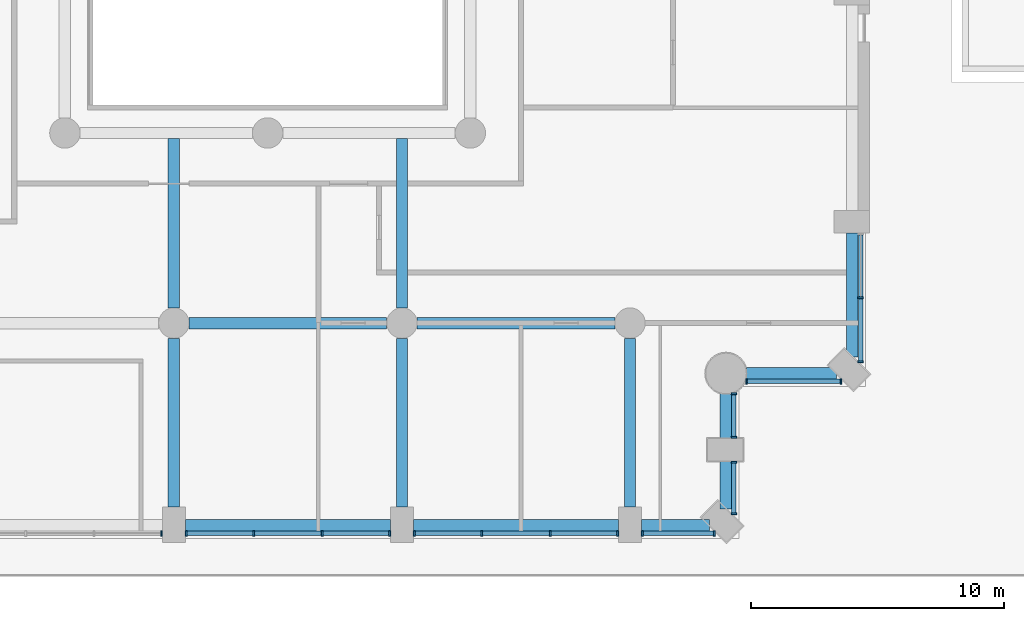
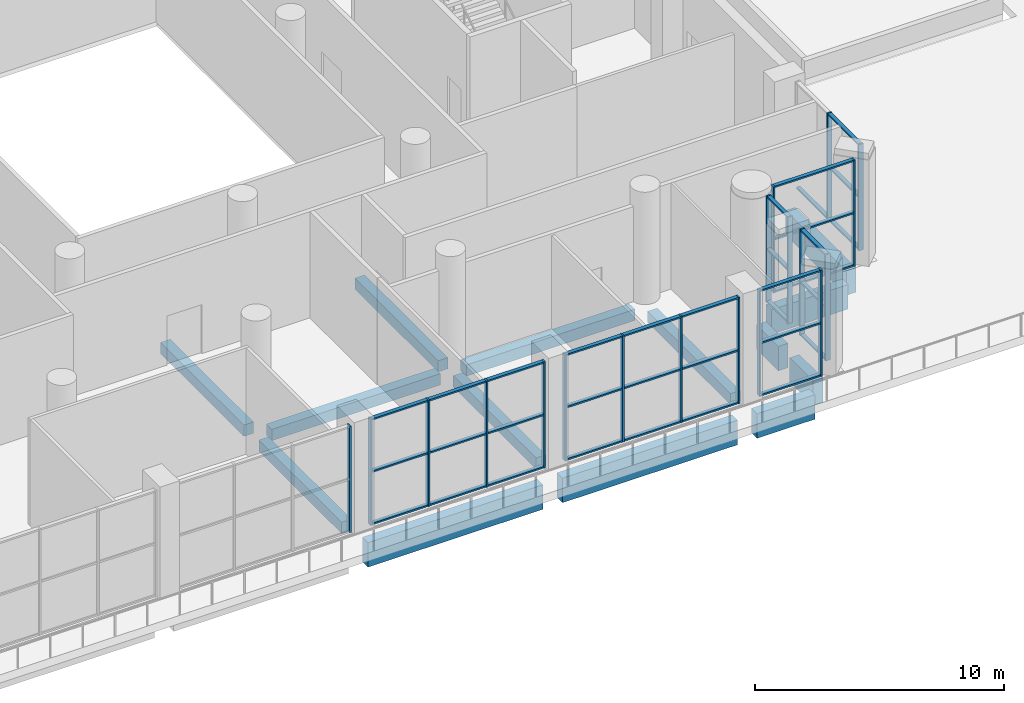
# One storey, part 6 of 26: 53 members, 14 beams, 8 elements without a shape of their own.
"""IFC4 building model written with IfcOpenShell, lengths in metres."""

from ifc_helpers import new_model, si_unit, direction, frame, origin, origin_2d, place, context, subcontext, project, spatial, rectangle, extrude, material, material_profile, profile_set, type_object, element, aggregate, save


model = new_model("IFC4")

# Units and contexts
model_context = context("Model", 3, precision=1e-05, world=origin(), true_north=direction((0.0, 1.0)))
body_context = subcontext(model_context, "Body", "Model", "MODEL_VIEW")
ifc_project = project(units=[si_unit("LENGTHUNIT", "METRE"), si_unit("AREAUNIT", "SQUARE_METRE"), si_unit("VOLUMEUNIT", "CUBIC_METRE"), si_unit("PLANEANGLEUNIT", "RADIAN"), si_unit("MASSUNIT", "GRAM", prefix="KILO")], contexts=[model_context])

# Site, building, storey
site_placement = place(None, origin())
site = spatial("IfcSite", under=ifc_project, at=site_placement, CompositionType="ELEMENT")
building_placement = place(site_placement, origin())
building = spatial("IfcBuilding", under=site, at=building_placement, Name="Cypress Arch Tower", CompositionType="ELEMENT")
storey_placement = place(building_placement, frame((0.0, 0.0, 50.0)))
storey = spatial("IfcBuildingStorey", under=building, at=storey_placement, Name="L06", CompositionType="ELEMENT", Elevation=50.0)

# Beams
ifc_material_1 = material(Name="Concrete C50/60", Category="concrete")
ifc_material_profile_1 = material_profile(ifc_material_1, rectangle(XDim=0.449951171875, YDim=0.550048828125, at=origin_2d()), Name="RC 450x550")
ifc_profile_set_1 = profile_set([ifc_material_profile_1], Name="Concrete C50/60")
beam_type_1 = type_object("IfcBeamType", Name="Floor beam RC 450x550 Concrete C50/60", PredefinedType="BEAM", material=ifc_profile_set_1)
for number, where, z_axis, x_axis, name in (
    (1, (-2.10009765625, -17.5, -0.574951171875), (1.0, 0.0, 0.0), (0.0, 1.0, 0.0), "Floor beam L06 FB011"),
    (2, (6.89990234375, -17.5, -0.574951171875), (1.0, 0.0, 0.0), (0.0, 1.0, 0.0), "Floor beam L06 FB012"),
):
    element("IfcBeam", number, at=place(storey_placement, frame(where, z_axis=z_axis, x_axis=x_axis)), inside=storey, type_object=beam_type_1, Name=name, PredefinedType="BEAM", context=body_context, shape_type="SweptSolid", body=[
        extrude(rectangle(XDim=0.449951171875, YDim=0.550048828125, at=origin_2d()), origin(), (0.0, 0.0, 1.0), 7.800048828125),
    ])
beam_1_placement = place(storey_placement, frame((-2.699951171875, -24.75, -0.574951171875), z_axis=(0.0, 1.0, 0.0), x_axis=(-1.0, 0.0, 0.0)))
element("IfcBeam", 3, at=beam_1_placement, inside=storey, type_object=beam_type_1, Name="Floor beam L06 FB026", PredefinedType="BEAM", context=body_context, shape_type="SweptSolid", body=[
    extrude(rectangle(XDim=0.449951171875, YDim=0.550048828125, at=origin_2d()), origin(), (0.0, 0.0, 1.0), 6.64990234375),
])
beam_2_placement = place(storey_placement, frame((-2.699951171875, -16.89990234375, -0.574951171875), z_axis=(0.0, 1.0, 0.0), x_axis=(-1.0, 0.0, 0.0)))
element("IfcBeam", 4, at=beam_2_placement, inside=storey, type_object=beam_type_1, Name="Floor beam L06 FB027", PredefinedType="BEAM", context=body_context, shape_type="SweptSolid", body=[
    extrude(rectangle(XDim=0.449951171875, YDim=0.550048828125, at=origin_2d()), origin(), (0.0, 0.0, 1.0), 6.6748046875),
])
beam_3_placement = place(storey_placement, frame((6.300048828125, -24.75, -0.574951171875), z_axis=(0.0, 1.0, 0.0), x_axis=(-1.0, 0.0, 0.0)))
element("IfcBeam", 5, at=beam_3_placement, inside=storey, type_object=beam_type_1, Name="Floor beam L06 FB030", PredefinedType="BEAM", context=body_context, shape_type="SweptSolid", body=[
    extrude(rectangle(XDim=0.449951171875, YDim=0.550048828125, at=origin_2d()), origin(), (0.0, 0.0, 1.0), 6.64990234375),
])
beam_4_placement = place(storey_placement, frame((6.300048828125, -16.89990234375, -0.574951171875), z_axis=(0.0, 1.0, 0.0), x_axis=(-1.0, 0.0, 0.0)))
element("IfcBeam", 6, at=beam_4_placement, inside=storey, type_object=beam_type_1, Name="Floor beam L06 FB031", PredefinedType="BEAM", context=body_context, shape_type="SweptSolid", body=[
    extrude(rectangle(XDim=0.449951171875, YDim=0.550048828125, at=origin_2d()), origin(), (0.0, 0.0, 1.0), 6.6748046875),
])
beam_5_placement = place(storey_placement, frame((15.300048828125, -24.75, -0.574951171875), z_axis=(0.0, 1.0, 0.0), x_axis=(-1.0, 0.0, 0.0)))
element("IfcBeam", 7, at=beam_5_placement, inside=storey, type_object=beam_type_1, Name="Floor beam L06 FB034", PredefinedType="BEAM", context=body_context, shape_type="SweptSolid", body=[
    extrude(rectangle(XDim=0.449951171875, YDim=0.550048828125, at=origin_2d()), origin(), (0.0, 0.0, 1.0), 6.64990234375),
])

# Curtain wall, member
ifc_material_2 = material(Name="Anodised aluminium, bronze finish, solar control laminated double glazing", Category="aluminium")
curtain_wall_type = type_object("IfcCurtainWallType", Name="Curtain wall CW3 sky lobby glazing", PredefinedType="NOTDEFINED", material=ifc_material_2)
curtain_wall_1_placement = place(storey_placement, origin())
curtain_wall_1 = element("IfcCurtainWall", 8, at=curtain_wall_1_placement, inside=storey, type_object=curtain_wall_type, Name="Curtain wall L06 A03.2.1", PredefinedType="NOTDEFINED")
ifc_material_3 = material(Name="Anodised aluminium, bronze finish", Category="aluminium")
ifc_material_profile_2 = material_profile(ifc_material_3, rectangle(XDim=0.219970703125, YDim=0.074951171875, at=origin_2d()), Name="Mullion 75x220")
ifc_profile_set_2 = profile_set([ifc_material_profile_2], Name="Anodised aluminium, bronze finish")
member_type_1 = type_object("IfcMemberType", Name="Mullion CW3 75x220", PredefinedType="MULLION", material=ifc_profile_set_2)
member_1_placement = place(storey_placement, frame((-3.1875, -25.800048828125, 0.0), z_axis=(0.0, 0.0, 1.0), x_axis=(0.0, 1.0, 0.0)))
member_1 = element("IfcMember", 9, at=member_1_placement, type_object=member_type_1, Name="CW3 mullion 4", PredefinedType="MULLION", context=body_context, shape_type="SweptSolid", body=[
    extrude(rectangle(XDim=0.219970703125, YDim=0.074951171875, at=origin_2d()), origin(), (0.0, 0.0, 1.0), 5.199951171875),
])
aggregate(curtain_wall_1, [member_1])

# Curtain wall, members
curtain_wall_2_placement = place(storey_placement, origin())
curtain_wall_2 = element("IfcCurtainWall", 10, at=curtain_wall_2_placement, inside=storey, type_object=curtain_wall_type, Name="Curtain wall L06 A03.3.1", PredefinedType="NOTDEFINED")
member_2_placement = place(storey_placement, frame((-2.21240234375, -25.800048828125, 0.0), z_axis=(0.0, 0.0, 1.0), x_axis=(0.0, 1.0, 0.0)))
member_2 = element("IfcMember", 11, at=member_2_placement, type_object=member_type_1, Name="CW3 mullion 1", PredefinedType="MULLION", context=body_context, shape_type="SweptSolid", body=[
    extrude(rectangle(XDim=0.219970703125, YDim=0.074951171875, at=origin_2d()), origin(), (0.0, 0.0, 1.0), 5.199951171875),
])
member_3_placement = place(storey_placement, frame((0.449951171875, -25.800048828125, 0.0), z_axis=(0.0, 0.0, 1.0), x_axis=(0.0, 1.0, 0.0)))
member_3 = element("IfcMember", 12, at=member_3_placement, type_object=member_type_1, Name="CW3 mullion 2", PredefinedType="MULLION", context=body_context, shape_type="SweptSolid", body=[
    extrude(rectangle(XDim=0.219970703125, YDim=0.074951171875, at=origin_2d()), origin(), (0.0, 0.0, 1.0), 5.199951171875),
])
member_4_placement = place(storey_placement, frame((3.14990234375, -25.800048828125, 0.0), z_axis=(0.0, 0.0, 1.0), x_axis=(0.0, 1.0, 0.0)))
member_4 = element("IfcMember", 13, at=member_4_placement, type_object=member_type_1, Name="CW3 mullion 3", PredefinedType="MULLION", context=body_context, shape_type="SweptSolid", body=[
    extrude(rectangle(XDim=0.219970703125, YDim=0.074951171875, at=origin_2d()), origin(), (0.0, 0.0, 1.0), 5.199951171875),
])
member_5_placement = place(storey_placement, frame((5.8125, -25.800048828125, 0.0), z_axis=(0.0, 0.0, 1.0), x_axis=(0.0, 1.0, 0.0)))
member_5 = element("IfcMember", 14, at=member_5_placement, type_object=member_type_1, Name="CW3 mullion 4", PredefinedType="MULLION", context=body_context, shape_type="SweptSolid", body=[
    extrude(rectangle(XDim=0.219970703125, YDim=0.074951171875, at=origin_2d()), origin(), (0.0, 0.0, 1.0), 5.199951171875),
])

curtain_wall_3_placement = place(storey_placement, origin())
curtain_wall_3 = element("IfcCurtainWall", 15, at=curtain_wall_3_placement, inside=storey, type_object=curtain_wall_type, Name="Curtain wall L06 A03.4.1", PredefinedType="NOTDEFINED")
member_6_placement = place(storey_placement, frame((6.78759765625, -25.800048828125, 0.0), z_axis=(0.0, 0.0, 1.0), x_axis=(0.0, 1.0, 0.0)))
member_6 = element("IfcMember", 16, at=member_6_placement, type_object=member_type_1, Name="CW3 mullion 1", PredefinedType="MULLION", context=body_context, shape_type="SweptSolid", body=[
    extrude(rectangle(XDim=0.219970703125, YDim=0.074951171875, at=origin_2d()), origin(), (0.0, 0.0, 1.0), 5.199951171875),
])
member_7_placement = place(storey_placement, frame((9.449951171875, -25.800048828125, 0.0), z_axis=(0.0, 0.0, 1.0), x_axis=(0.0, 1.0, 0.0)))
member_7 = element("IfcMember", 17, at=member_7_placement, type_object=member_type_1, Name="CW3 mullion 2", PredefinedType="MULLION", context=body_context, shape_type="SweptSolid", body=[
    extrude(rectangle(XDim=0.219970703125, YDim=0.074951171875, at=origin_2d()), origin(), (0.0, 0.0, 1.0), 5.199951171875),
])
member_8_placement = place(storey_placement, frame((12.14990234375, -25.800048828125, 0.0), z_axis=(0.0, 0.0, 1.0), x_axis=(0.0, 1.0, 0.0)))
member_8 = element("IfcMember", 18, at=member_8_placement, type_object=member_type_1, Name="CW3 mullion 3", PredefinedType="MULLION", context=body_context, shape_type="SweptSolid", body=[
    extrude(rectangle(XDim=0.219970703125, YDim=0.074951171875, at=origin_2d()), origin(), (0.0, 0.0, 1.0), 5.199951171875),
])
member_9_placement = place(storey_placement, frame((14.8125, -25.800048828125, 0.0), z_axis=(0.0, 0.0, 1.0), x_axis=(0.0, 1.0, 0.0)))
member_9 = element("IfcMember", 19, at=member_9_placement, type_object=member_type_1, Name="CW3 mullion 4", PredefinedType="MULLION", context=body_context, shape_type="SweptSolid", body=[
    extrude(rectangle(XDim=0.219970703125, YDim=0.074951171875, at=origin_2d()), origin(), (0.0, 0.0, 1.0), 5.199951171875),
])

curtain_wall_4_placement = place(storey_placement, origin())
curtain_wall_4 = element("IfcCurtainWall", 20, at=curtain_wall_4_placement, inside=storey, type_object=curtain_wall_type, Name="Curtain wall L06 A03.5.1", PredefinedType="NOTDEFINED")
member_10_placement = place(storey_placement, frame((15.78759765625, -25.800048828125, 0.0), z_axis=(0.0, 0.0, 1.0), x_axis=(0.0, 1.0, 0.0)))
member_10 = element("IfcMember", 21, at=member_10_placement, type_object=member_type_1, Name="CW3 mullion 1", PredefinedType="MULLION", context=body_context, shape_type="SweptSolid", body=[
    extrude(rectangle(XDim=0.219970703125, YDim=0.074951171875, at=origin_2d()), origin(), (0.0, 0.0, 1.0), 5.199951171875),
])
member_11_placement = place(storey_placement, frame((18.626220703125, -25.800048828125, 0.0), z_axis=(0.0, 0.0, 1.0), x_axis=(0.0, 1.0, 0.0)))
member_11 = element("IfcMember", 22, at=member_11_placement, type_object=member_type_1, Name="CW3 mullion 2", PredefinedType="MULLION", context=body_context, shape_type="SweptSolid", body=[
    extrude(rectangle(XDim=0.219970703125, YDim=0.074951171875, at=origin_2d()), origin(), (0.0, 0.0, 1.0), 5.199951171875),
])

curtain_wall_5_placement = place(storey_placement, origin())
curtain_wall_5 = element("IfcCurtainWall", 23, at=curtain_wall_5_placement, inside=storey, type_object=curtain_wall_type, Name="Curtain wall L06 A04.0.1", PredefinedType="NOTDEFINED")
member_12_placement = place(storey_placement, frame((19.39990234375, -25.026123046875, 0.0), z_axis=(0.0, 0.0, 1.0), x_axis=(-1.0, 0.0, 0.0)))
member_12 = element("IfcMember", 24, at=member_12_placement, type_object=member_type_1, Name="CW3 mullion 1", PredefinedType="MULLION", context=body_context, shape_type="SweptSolid", body=[
    extrude(rectangle(XDim=0.219970703125, YDim=0.074951171875, at=origin_2d()), origin(), (0.0, 0.0, 1.0), 5.199951171875),
])
member_13_placement = place(storey_placement, frame((19.39990234375, -22.987548828125, 0.0), z_axis=(0.0, 0.0, 1.0), x_axis=(-1.0, 0.0, 0.0)))
member_13 = element("IfcMember", 25, at=member_13_placement, type_object=member_type_1, Name="CW3 mullion 2", PredefinedType="MULLION", context=body_context, shape_type="SweptSolid", body=[
    extrude(rectangle(XDim=0.219970703125, YDim=0.074951171875, at=origin_2d()), origin(), (0.0, 0.0, 1.0), 5.199951171875),
])

curtain_wall_6_placement = place(storey_placement, origin())
curtain_wall_6 = element("IfcCurtainWall", 26, at=curtain_wall_6_placement, inside=storey, type_object=curtain_wall_type, Name="Curtain wall L06 A04.1.1", PredefinedType="NOTDEFINED")
member_14_placement = place(storey_placement, frame((19.39990234375, -22.012451171875, 0.0), z_axis=(0.0, 0.0, 1.0), x_axis=(-1.0, 0.0, 0.0)))
member_14 = element("IfcMember", 27, at=member_14_placement, type_object=member_type_1, Name="CW3 mullion 1", PredefinedType="MULLION", context=body_context, shape_type="SweptSolid", body=[
    extrude(rectangle(XDim=0.219970703125, YDim=0.074951171875, at=origin_2d()), origin(), (0.0, 0.0, 1.0), 5.199951171875),
])
member_15_placement = place(storey_placement, frame((19.39990234375, -20.2958984375, 0.0), z_axis=(0.0, 0.0, 1.0), x_axis=(-1.0, 0.0, 0.0)))
member_15 = element("IfcMember", 28, at=member_15_placement, type_object=member_type_1, Name="CW3 mullion 2", PredefinedType="MULLION", context=body_context, shape_type="SweptSolid", body=[
    extrude(rectangle(XDim=0.219970703125, YDim=0.074951171875, at=origin_2d()), origin(), (0.0, 0.0, 1.0), 5.199951171875),
])

curtain_wall_7_placement = place(storey_placement, origin())
curtain_wall_7 = element("IfcCurtainWall", 29, at=curtain_wall_7_placement, inside=storey, type_object=curtain_wall_type, Name="Curtain wall L06 A05.0.1", PredefinedType="NOTDEFINED")
member_16_placement = place(storey_placement, frame((19.89599609375, -19.800048828125, 0.0), z_axis=(0.0, 0.0, 1.0), x_axis=(0.0, 1.0, 0.0)))
member_16 = element("IfcMember", 30, at=member_16_placement, type_object=member_type_1, Name="CW3 mullion 1", PredefinedType="MULLION", context=body_context, shape_type="SweptSolid", body=[
    extrude(rectangle(XDim=0.219970703125, YDim=0.074951171875, at=origin_2d()), origin(), (0.0, 0.0, 1.0), 5.199951171875),
])
member_17_placement = place(storey_placement, frame((23.626220703125, -19.800048828125, 0.0), z_axis=(0.0, 0.0, 1.0), x_axis=(0.0, 1.0, 0.0)))
member_17 = element("IfcMember", 31, at=member_17_placement, type_object=member_type_1, Name="CW3 mullion 2", PredefinedType="MULLION", context=body_context, shape_type="SweptSolid", body=[
    extrude(rectangle(XDim=0.219970703125, YDim=0.074951171875, at=origin_2d()), origin(), (0.0, 0.0, 1.0), 5.199951171875),
])

curtain_wall_8_placement = place(storey_placement, origin())
curtain_wall_8 = element("IfcCurtainWall", 32, at=curtain_wall_8_placement, inside=storey, type_object=curtain_wall_type, Name="Curtain wall L06 A06.0.1", PredefinedType="NOTDEFINED")
member_18_placement = place(storey_placement, frame((24.39990234375, -19.026123046875, 0.0), z_axis=(0.0, 0.0, 1.0), x_axis=(-1.0, 0.0, 0.0)))
member_18 = element("IfcMember", 33, at=member_18_placement, type_object=member_type_1, Name="CW3 mullion 1", PredefinedType="MULLION", context=body_context, shape_type="SweptSolid", body=[
    extrude(rectangle(XDim=0.219970703125, YDim=0.074951171875, at=origin_2d()), origin(), (0.0, 0.0, 1.0), 5.199951171875),
])
member_19_placement = place(storey_placement, frame((24.39990234375, -16.5068359375, 0.0), z_axis=(0.0, 0.0, 1.0), x_axis=(-1.0, 0.0, 0.0)))
member_19 = element("IfcMember", 34, at=member_19_placement, type_object=member_type_1, Name="CW3 mullion 2", PredefinedType="MULLION", context=body_context, shape_type="SweptSolid", body=[
    extrude(rectangle(XDim=0.219970703125, YDim=0.074951171875, at=origin_2d()), origin(), (0.0, 0.0, 1.0), 5.199951171875),
])

# Beams
ifc_material_4 = material(Name="Concrete C50/60", Category="concrete")
ifc_material_profile_3 = material_profile(ifc_material_4, rectangle(XDim=0.449951171875, YDim=1.199951171875, at=origin_2d()), Name="RC 450x1200")
ifc_profile_set_3 = profile_set([ifc_material_profile_3], Name="Concrete C50/60")
beam_type_2 = type_object("IfcBeamType", Name="Spandrel beam RC 450x1200 Concrete C50/60", PredefinedType="SPANDREL", material=ifc_profile_set_3)
for number, where, z_axis, x_axis, name in (
    (35, (-2.25, -25.47509765625, -1.550048828125), (1.0, 0.0, 0.0), (0.0, 1.0, 0.0), "Spandrel beam L06 BA03-3"),
    (36, (6.75, -25.47509765625, -1.550048828125), (1.0, 0.0, 0.0), (0.0, 1.0, 0.0), "Spandrel beam L06 BA03-4"),
):
    element("IfcBeam", number, at=place(storey_placement, frame(where, z_axis=z_axis, x_axis=x_axis)), inside=storey, type_object=beam_type_2, Name=name, PredefinedType="SPANDREL", context=body_context, shape_type="SweptSolid", body=[
        extrude(rectangle(XDim=0.449951171875, YDim=1.199951171875, at=origin_2d()), origin(), (0.0, 0.0, 1.0), 8.10009765625),
    ])
beam_6_placement = place(storey_placement, frame((15.75, -25.47509765625, -1.550048828125), z_axis=(1.0, 0.0, 0.0), x_axis=(0.0, 1.0, 0.0)))
element("IfcBeam", 37, at=beam_6_placement, inside=storey, type_object=beam_type_2, Name="Spandrel beam L06 BA03-5", PredefinedType="SPANDREL", context=body_context, shape_type="SweptSolid", body=[
    extrude(rectangle(XDim=0.449951171875, YDim=1.199951171875, at=origin_2d()), origin(), (0.0, 0.0, 1.0), 2.688720703125),
])
beam_7_placement = place(storey_placement, frame((19.074951171875, -24.838623046875, -1.550048828125), z_axis=(0.0, 1.0, 0.0), x_axis=(-1.0, 0.0, 0.0)))
element("IfcBeam", 38, at=beam_7_placement, inside=storey, type_object=beam_type_2, Name="Spandrel beam L06 BA04-0", PredefinedType="SPANDREL", context=body_context, shape_type="SweptSolid", body=[
    extrude(rectangle(XDim=0.449951171875, YDim=1.199951171875, at=origin_2d()), origin(), (0.0, 0.0, 1.0), 1.888671875),
])
beam_8_placement = place(storey_placement, frame((19.074951171875, -22.050048828125, -1.550048828125), z_axis=(0.0, 1.0, 0.0), x_axis=(-1.0, 0.0, 0.0)))
element("IfcBeam", 39, at=beam_8_placement, inside=storey, type_object=beam_type_2, Name="Spandrel beam L06 BA04-1", PredefinedType="SPANDREL", context=body_context, shape_type="SweptSolid", body=[
    extrude(rectangle(XDim=0.449951171875, YDim=1.199951171875, at=origin_2d()), origin(), (0.0, 0.0, 1.0), 1.762451171875),
])
beam_9_placement = place(storey_placement, frame((19.887451171875, -19.47509765625, -1.550048828125), z_axis=(1.0, 0.0, 0.0), x_axis=(0.0, 1.0, 0.0)))
element("IfcBeam", 40, at=beam_9_placement, inside=storey, type_object=beam_type_2, Name="Spandrel beam L06 BA05-0", PredefinedType="SPANDREL", context=body_context, shape_type="SweptSolid", body=[
    extrude(rectangle(XDim=0.449951171875, YDim=1.199951171875, at=origin_2d()), origin(), (0.0, 0.0, 1.0), 3.55126953125),
])
beam_10_placement = place(storey_placement, frame((24.074951171875, -18.838623046875, -1.550048828125), z_axis=(0.0, 1.0, 0.0), x_axis=(-1.0, 0.0, 0.0)))
element("IfcBeam", 41, at=beam_10_placement, inside=storey, type_object=beam_type_2, Name="Spandrel beam L06 BA06-0", PredefinedType="SPANDREL", context=body_context, shape_type="SweptSolid", body=[
    extrude(rectangle(XDim=0.449951171875, YDim=1.199951171875, at=origin_2d()), origin(), (0.0, 0.0, 1.0), 4.888671875),
])

# Member
ifc_material_5 = material(Name="Anodised aluminium, bronze finish", Category="aluminium")
ifc_material_profile_4 = material_profile(ifc_material_5, rectangle(XDim=0.179931640625, YDim=0.074951171875, at=origin_2d()), Name="Transom 75x180")
ifc_profile_set_4 = profile_set([ifc_material_profile_4], Name="Anodised aluminium, bronze finish")
member_type_2 = type_object("IfcMemberType", Name="Transom CW3 75x180", PredefinedType="USERDEFINED", material=ifc_profile_set_4)
member_20_placement = place(storey_placement, frame((-2.175048828125, -25.800048828125, 0.03759765625), z_axis=(1.0, 0.0, 0.0), x_axis=(0.0, 1.0, 0.0)))
member_20 = element("IfcMember", 42, at=member_20_placement, type_object=member_type_2, Name="CW3 transom 1.1", ObjectType="TRANSOM", PredefinedType="USERDEFINED", context=body_context, shape_type="SweptSolid", body=[
    extrude(rectangle(XDim=0.179931640625, YDim=0.074951171875, at=origin_2d()), origin(), (0.0, 0.0, 1.0), 2.587646484375),
])

member_21_placement = place(storey_placement, frame((-2.175048828125, -25.800048828125, 2.60009765625), z_axis=(1.0, 0.0, 0.0), x_axis=(0.0, 1.0, 0.0)))
member_21 = element("IfcMember", 43, at=member_21_placement, type_object=member_type_2, Name="CW3 transom 1.2", ObjectType="TRANSOM", PredefinedType="USERDEFINED", context=body_context, shape_type="SweptSolid", body=[
    extrude(rectangle(XDim=0.179931640625, YDim=0.074951171875, at=origin_2d()), origin(), (0.0, 0.0, 1.0), 2.587646484375),
])

member_22_placement = place(storey_placement, frame((-2.175048828125, -25.800048828125, 5.16259765625), z_axis=(1.0, 0.0, 0.0), x_axis=(0.0, 1.0, 0.0)))
member_22 = element("IfcMember", 44, at=member_22_placement, type_object=member_type_2, Name="CW3 transom 1.3", ObjectType="TRANSOM", PredefinedType="USERDEFINED", context=body_context, shape_type="SweptSolid", body=[
    extrude(rectangle(XDim=0.179931640625, YDim=0.074951171875, at=origin_2d()), origin(), (0.0, 0.0, 1.0), 2.587646484375),
])

member_23_placement = place(storey_placement, frame((0.487548828125, -25.800048828125, 0.03759765625), z_axis=(1.0, 0.0, 0.0), x_axis=(0.0, 1.0, 0.0)))
member_23 = element("IfcMember", 45, at=member_23_placement, type_object=member_type_2, Name="CW3 transom 2.1", ObjectType="TRANSOM", PredefinedType="USERDEFINED", context=body_context, shape_type="SweptSolid", body=[
    extrude(rectangle(XDim=0.179931640625, YDim=0.074951171875, at=origin_2d()), origin(), (0.0, 0.0, 1.0), 2.625),
])

member_24_placement = place(storey_placement, frame((0.487548828125, -25.800048828125, 2.60009765625), z_axis=(1.0, 0.0, 0.0), x_axis=(0.0, 1.0, 0.0)))
member_24 = element("IfcMember", 46, at=member_24_placement, type_object=member_type_2, Name="CW3 transom 2.2", ObjectType="TRANSOM", PredefinedType="USERDEFINED", context=body_context, shape_type="SweptSolid", body=[
    extrude(rectangle(XDim=0.179931640625, YDim=0.074951171875, at=origin_2d()), origin(), (0.0, 0.0, 1.0), 2.625),
])

member_25_placement = place(storey_placement, frame((0.487548828125, -25.800048828125, 5.16259765625), z_axis=(1.0, 0.0, 0.0), x_axis=(0.0, 1.0, 0.0)))
member_25 = element("IfcMember", 47, at=member_25_placement, type_object=member_type_2, Name="CW3 transom 2.3", ObjectType="TRANSOM", PredefinedType="USERDEFINED", context=body_context, shape_type="SweptSolid", body=[
    extrude(rectangle(XDim=0.179931640625, YDim=0.074951171875, at=origin_2d()), origin(), (0.0, 0.0, 1.0), 2.625),
])

member_26_placement = place(storey_placement, frame((3.1875, -25.800048828125, 0.03759765625), z_axis=(1.0, 0.0, 0.0), x_axis=(0.0, 1.0, 0.0)))
member_26 = element("IfcMember", 48, at=member_26_placement, type_object=member_type_2, Name="CW3 transom 3.1", ObjectType="TRANSOM", PredefinedType="USERDEFINED", context=body_context, shape_type="SweptSolid", body=[
    extrude(rectangle(XDim=0.179931640625, YDim=0.074951171875, at=origin_2d()), origin(), (0.0, 0.0, 1.0), 2.58740234375),
])

member_27_placement = place(storey_placement, frame((3.1875, -25.800048828125, 2.60009765625), z_axis=(1.0, 0.0, 0.0), x_axis=(0.0, 1.0, 0.0)))
member_27 = element("IfcMember", 49, at=member_27_placement, type_object=member_type_2, Name="CW3 transom 3.2", ObjectType="TRANSOM", PredefinedType="USERDEFINED", context=body_context, shape_type="SweptSolid", body=[
    extrude(rectangle(XDim=0.179931640625, YDim=0.074951171875, at=origin_2d()), origin(), (0.0, 0.0, 1.0), 2.58740234375),
])

member_28_placement = place(storey_placement, frame((3.1875, -25.800048828125, 5.16259765625), z_axis=(1.0, 0.0, 0.0), x_axis=(0.0, 1.0, 0.0)))
member_28 = element("IfcMember", 50, at=member_28_placement, type_object=member_type_2, Name="CW3 transom 3.3", ObjectType="TRANSOM", PredefinedType="USERDEFINED", context=body_context, shape_type="SweptSolid", body=[
    extrude(rectangle(XDim=0.179931640625, YDim=0.074951171875, at=origin_2d()), origin(), (0.0, 0.0, 1.0), 2.58740234375),
])

aggregate(curtain_wall_2, [member_2, member_3, member_4, member_5, member_20, member_21, member_22, member_23, member_24, member_25, member_26, member_27, member_28])

member_29_placement = place(storey_placement, frame((6.824951171875, -25.800048828125, 0.03759765625), z_axis=(1.0, 0.0, 0.0), x_axis=(0.0, 1.0, 0.0)))
member_29 = element("IfcMember", 51, at=member_29_placement, type_object=member_type_2, Name="CW3 transom 1.1", ObjectType="TRANSOM", PredefinedType="USERDEFINED", context=body_context, shape_type="SweptSolid", body=[
    extrude(rectangle(XDim=0.179931640625, YDim=0.074951171875, at=origin_2d()), origin(), (0.0, 0.0, 1.0), 2.587646484375),
])

member_30_placement = place(storey_placement, frame((6.824951171875, -25.800048828125, 2.60009765625), z_axis=(1.0, 0.0, 0.0), x_axis=(0.0, 1.0, 0.0)))
member_30 = element("IfcMember", 52, at=member_30_placement, type_object=member_type_2, Name="CW3 transom 1.2", ObjectType="TRANSOM", PredefinedType="USERDEFINED", context=body_context, shape_type="SweptSolid", body=[
    extrude(rectangle(XDim=0.179931640625, YDim=0.074951171875, at=origin_2d()), origin(), (0.0, 0.0, 1.0), 2.587646484375),
])

member_31_placement = place(storey_placement, frame((6.824951171875, -25.800048828125, 5.16259765625), z_axis=(1.0, 0.0, 0.0), x_axis=(0.0, 1.0, 0.0)))
member_31 = element("IfcMember", 53, at=member_31_placement, type_object=member_type_2, Name="CW3 transom 1.3", ObjectType="TRANSOM", PredefinedType="USERDEFINED", context=body_context, shape_type="SweptSolid", body=[
    extrude(rectangle(XDim=0.179931640625, YDim=0.074951171875, at=origin_2d()), origin(), (0.0, 0.0, 1.0), 2.587646484375),
])

member_32_placement = place(storey_placement, frame((9.487548828125, -25.800048828125, 0.03759765625), z_axis=(1.0, 0.0, 0.0), x_axis=(0.0, 1.0, 0.0)))
member_32 = element("IfcMember", 54, at=member_32_placement, type_object=member_type_2, Name="CW3 transom 2.1", ObjectType="TRANSOM", PredefinedType="USERDEFINED", context=body_context, shape_type="SweptSolid", body=[
    extrude(rectangle(XDim=0.179931640625, YDim=0.074951171875, at=origin_2d()), origin(), (0.0, 0.0, 1.0), 2.625),
])

member_33_placement = place(storey_placement, frame((9.487548828125, -25.800048828125, 2.60009765625), z_axis=(1.0, 0.0, 0.0), x_axis=(0.0, 1.0, 0.0)))
member_33 = element("IfcMember", 55, at=member_33_placement, type_object=member_type_2, Name="CW3 transom 2.2", ObjectType="TRANSOM", PredefinedType="USERDEFINED", context=body_context, shape_type="SweptSolid", body=[
    extrude(rectangle(XDim=0.179931640625, YDim=0.074951171875, at=origin_2d()), origin(), (0.0, 0.0, 1.0), 2.625),
])

member_34_placement = place(storey_placement, frame((9.487548828125, -25.800048828125, 5.16259765625), z_axis=(1.0, 0.0, 0.0), x_axis=(0.0, 1.0, 0.0)))
member_34 = element("IfcMember", 56, at=member_34_placement, type_object=member_type_2, Name="CW3 transom 2.3", ObjectType="TRANSOM", PredefinedType="USERDEFINED", context=body_context, shape_type="SweptSolid", body=[
    extrude(rectangle(XDim=0.179931640625, YDim=0.074951171875, at=origin_2d()), origin(), (0.0, 0.0, 1.0), 2.625),
])

member_35_placement = place(storey_placement, frame((12.1875, -25.800048828125, 0.03759765625), z_axis=(1.0, 0.0, 0.0), x_axis=(0.0, 1.0, 0.0)))
member_35 = element("IfcMember", 57, at=member_35_placement, type_object=member_type_2, Name="CW3 transom 3.1", ObjectType="TRANSOM", PredefinedType="USERDEFINED", context=body_context, shape_type="SweptSolid", body=[
    extrude(rectangle(XDim=0.179931640625, YDim=0.074951171875, at=origin_2d()), origin(), (0.0, 0.0, 1.0), 2.58740234375),
])

member_36_placement = place(storey_placement, frame((12.1875, -25.800048828125, 2.60009765625), z_axis=(1.0, 0.0, 0.0), x_axis=(0.0, 1.0, 0.0)))
member_36 = element("IfcMember", 58, at=member_36_placement, type_object=member_type_2, Name="CW3 transom 3.2", ObjectType="TRANSOM", PredefinedType="USERDEFINED", context=body_context, shape_type="SweptSolid", body=[
    extrude(rectangle(XDim=0.179931640625, YDim=0.074951171875, at=origin_2d()), origin(), (0.0, 0.0, 1.0), 2.58740234375),
])

member_37_placement = place(storey_placement, frame((12.1875, -25.800048828125, 5.16259765625), z_axis=(1.0, 0.0, 0.0), x_axis=(0.0, 1.0, 0.0)))
member_37 = element("IfcMember", 59, at=member_37_placement, type_object=member_type_2, Name="CW3 transom 3.3", ObjectType="TRANSOM", PredefinedType="USERDEFINED", context=body_context, shape_type="SweptSolid", body=[
    extrude(rectangle(XDim=0.179931640625, YDim=0.074951171875, at=origin_2d()), origin(), (0.0, 0.0, 1.0), 2.58740234375),
])

aggregate(curtain_wall_3, [member_6, member_7, member_8, member_9, member_29, member_30, member_31, member_32, member_33, member_34, member_35, member_36, member_37])

member_38_placement = place(storey_placement, frame((15.824951171875, -25.800048828125, 0.03759765625), z_axis=(1.0, 0.0, 0.0), x_axis=(0.0, 1.0, 0.0)))
member_38 = element("IfcMember", 60, at=member_38_placement, type_object=member_type_2, Name="CW3 transom 1.1", ObjectType="TRANSOM", PredefinedType="USERDEFINED", context=body_context, shape_type="SweptSolid", body=[
    extrude(rectangle(XDim=0.179931640625, YDim=0.074951171875, at=origin_2d()), origin(), (0.0, 0.0, 1.0), 2.763671875),
])

member_39_placement = place(storey_placement, frame((15.824951171875, -25.800048828125, 2.60009765625), z_axis=(1.0, 0.0, 0.0), x_axis=(0.0, 1.0, 0.0)))
member_39 = element("IfcMember", 61, at=member_39_placement, type_object=member_type_2, Name="CW3 transom 1.2", ObjectType="TRANSOM", PredefinedType="USERDEFINED", context=body_context, shape_type="SweptSolid", body=[
    extrude(rectangle(XDim=0.179931640625, YDim=0.074951171875, at=origin_2d()), origin(), (0.0, 0.0, 1.0), 2.763671875),
])

member_40_placement = place(storey_placement, frame((15.824951171875, -25.800048828125, 5.16259765625), z_axis=(1.0, 0.0, 0.0), x_axis=(0.0, 1.0, 0.0)))
member_40 = element("IfcMember", 62, at=member_40_placement, type_object=member_type_2, Name="CW3 transom 1.3", ObjectType="TRANSOM", PredefinedType="USERDEFINED", context=body_context, shape_type="SweptSolid", body=[
    extrude(rectangle(XDim=0.179931640625, YDim=0.074951171875, at=origin_2d()), origin(), (0.0, 0.0, 1.0), 2.763671875),
])

aggregate(curtain_wall_4, [member_10, member_11, member_38, member_39, member_40])

member_41_placement = place(storey_placement, frame((19.39990234375, -24.988525390625, 0.03759765625), z_axis=(0.0, 1.0, 0.0), x_axis=(-1.0, 0.0, 0.0)))
member_41 = element("IfcMember", 63, at=member_41_placement, type_object=member_type_2, Name="CW3 transom 1.1", ObjectType="TRANSOM", PredefinedType="USERDEFINED", context=body_context, shape_type="SweptSolid", body=[
    extrude(rectangle(XDim=0.179931640625, YDim=0.074951171875, at=origin_2d()), origin(), (0.0, 0.0, 1.0), 1.963623046875),
])

member_42_placement = place(storey_placement, frame((19.39990234375, -24.988525390625, 2.60009765625), z_axis=(0.0, 1.0, 0.0), x_axis=(-1.0, 0.0, 0.0)))
member_42 = element("IfcMember", 64, at=member_42_placement, type_object=member_type_2, Name="CW3 transom 1.2", ObjectType="TRANSOM", PredefinedType="USERDEFINED", context=body_context, shape_type="SweptSolid", body=[
    extrude(rectangle(XDim=0.179931640625, YDim=0.074951171875, at=origin_2d()), origin(), (0.0, 0.0, 1.0), 1.963623046875),
])

member_43_placement = place(storey_placement, frame((19.39990234375, -24.988525390625, 5.16259765625), z_axis=(0.0, 1.0, 0.0), x_axis=(-1.0, 0.0, 0.0)))
member_43 = element("IfcMember", 65, at=member_43_placement, type_object=member_type_2, Name="CW3 transom 1.3", ObjectType="TRANSOM", PredefinedType="USERDEFINED", context=body_context, shape_type="SweptSolid", body=[
    extrude(rectangle(XDim=0.179931640625, YDim=0.074951171875, at=origin_2d()), origin(), (0.0, 0.0, 1.0), 1.963623046875),
])

aggregate(curtain_wall_5, [member_12, member_13, member_41, member_42, member_43])

member_44_placement = place(storey_placement, frame((19.39990234375, -21.97509765625, 0.03759765625), z_axis=(0.0, 1.0, 0.0), x_axis=(-1.0, 0.0, 0.0)))
member_44 = element("IfcMember", 66, at=member_44_placement, type_object=member_type_2, Name="CW3 transom 1.1", ObjectType="TRANSOM", PredefinedType="USERDEFINED", context=body_context, shape_type="SweptSolid", body=[
    extrude(rectangle(XDim=0.179931640625, YDim=0.074951171875, at=origin_2d()), origin(), (0.0, 0.0, 1.0), 1.6416015625),
])

member_45_placement = place(storey_placement, frame((19.39990234375, -21.97509765625, 2.60009765625), z_axis=(0.0, 1.0, 0.0), x_axis=(-1.0, 0.0, 0.0)))
member_45 = element("IfcMember", 67, at=member_45_placement, type_object=member_type_2, Name="CW3 transom 1.2", ObjectType="TRANSOM", PredefinedType="USERDEFINED", context=body_context, shape_type="SweptSolid", body=[
    extrude(rectangle(XDim=0.179931640625, YDim=0.074951171875, at=origin_2d()), origin(), (0.0, 0.0, 1.0), 1.6416015625),
])

member_46_placement = place(storey_placement, frame((19.39990234375, -21.97509765625, 5.16259765625), z_axis=(0.0, 1.0, 0.0), x_axis=(-1.0, 0.0, 0.0)))
member_46 = element("IfcMember", 68, at=member_46_placement, type_object=member_type_2, Name="CW3 transom 1.3", ObjectType="TRANSOM", PredefinedType="USERDEFINED", context=body_context, shape_type="SweptSolid", body=[
    extrude(rectangle(XDim=0.179931640625, YDim=0.074951171875, at=origin_2d()), origin(), (0.0, 0.0, 1.0), 1.6416015625),
])

aggregate(curtain_wall_6, [member_14, member_15, member_44, member_45, member_46])

member_47_placement = place(storey_placement, frame((19.933349609375, -19.800048828125, 0.03759765625), z_axis=(1.0, 0.0, 0.0), x_axis=(0.0, 1.0, 0.0)))
member_47 = element("IfcMember", 69, at=member_47_placement, type_object=member_type_2, Name="CW3 transom 1.1", ObjectType="TRANSOM", PredefinedType="USERDEFINED", context=body_context, shape_type="SweptSolid", body=[
    extrude(rectangle(XDim=0.179931640625, YDim=0.074951171875, at=origin_2d()), origin(), (0.0, 0.0, 1.0), 3.6552734375),
])

member_48_placement = place(storey_placement, frame((19.933349609375, -19.800048828125, 2.60009765625), z_axis=(1.0, 0.0, 0.0), x_axis=(0.0, 1.0, 0.0)))
member_48 = element("IfcMember", 70, at=member_48_placement, type_object=member_type_2, Name="CW3 transom 1.2", ObjectType="TRANSOM", PredefinedType="USERDEFINED", context=body_context, shape_type="SweptSolid", body=[
    extrude(rectangle(XDim=0.179931640625, YDim=0.074951171875, at=origin_2d()), origin(), (0.0, 0.0, 1.0), 3.6552734375),
])

member_49_placement = place(storey_placement, frame((19.933349609375, -19.800048828125, 5.16259765625), z_axis=(1.0, 0.0, 0.0), x_axis=(0.0, 1.0, 0.0)))
member_49 = element("IfcMember", 71, at=member_49_placement, type_object=member_type_2, Name="CW3 transom 1.3", ObjectType="TRANSOM", PredefinedType="USERDEFINED", context=body_context, shape_type="SweptSolid", body=[
    extrude(rectangle(XDim=0.179931640625, YDim=0.074951171875, at=origin_2d()), origin(), (0.0, 0.0, 1.0), 3.6552734375),
])

aggregate(curtain_wall_7, [member_16, member_17, member_47, member_48, member_49])

member_50_placement = place(storey_placement, frame((24.39990234375, -18.988525390625, 0.03759765625), z_axis=(0.0, 1.0, 0.0), x_axis=(-1.0, 0.0, 0.0)))
member_50 = element("IfcMember", 72, at=member_50_placement, type_object=member_type_2, Name="CW3 transom 1.1", ObjectType="TRANSOM", PredefinedType="USERDEFINED", context=body_context, shape_type="SweptSolid", body=[
    extrude(rectangle(XDim=0.179931640625, YDim=0.074951171875, at=origin_2d()), origin(), (0.0, 0.0, 1.0), 2.4443359375),
])

member_51_placement = place(storey_placement, frame((24.39990234375, -18.988525390625, 2.60009765625), z_axis=(0.0, 1.0, 0.0), x_axis=(-1.0, 0.0, 0.0)))
member_51 = element("IfcMember", 73, at=member_51_placement, type_object=member_type_2, Name="CW3 transom 1.2", ObjectType="TRANSOM", PredefinedType="USERDEFINED", context=body_context, shape_type="SweptSolid", body=[
    extrude(rectangle(XDim=0.179931640625, YDim=0.074951171875, at=origin_2d()), origin(), (0.0, 0.0, 1.0), 2.4443359375),
])

member_52_placement = place(storey_placement, frame((24.39990234375, -18.988525390625, 5.16259765625), z_axis=(0.0, 1.0, 0.0), x_axis=(-1.0, 0.0, 0.0)))
member_52 = element("IfcMember", 74, at=member_52_placement, type_object=member_type_2, Name="CW3 transom 1.3", ObjectType="TRANSOM", PredefinedType="USERDEFINED", context=body_context, shape_type="SweptSolid", body=[
    extrude(rectangle(XDim=0.179931640625, YDim=0.074951171875, at=origin_2d()), origin(), (0.0, 0.0, 1.0), 2.4443359375),
])

member_53_placement = place(storey_placement, frame((24.39990234375, -16.46923828125, 0.03759765625), z_axis=(0.0, 1.0, 0.0), x_axis=(-1.0, 0.0, 0.0)))
member_53 = element("IfcMember", 75, at=member_53_placement, type_object=member_type_2, Name="CW3 transom 2.1", ObjectType="TRANSOM", PredefinedType="USERDEFINED", context=body_context, shape_type="SweptSolid", body=[
    extrude(rectangle(XDim=0.179931640625, YDim=0.074951171875, at=origin_2d()), origin(), (0.0, 0.0, 1.0), 2.4443359375),
])

aggregate(curtain_wall_8, [member_18, member_19, member_50, member_51, member_52, member_53])

save(model, "model.ifc")
